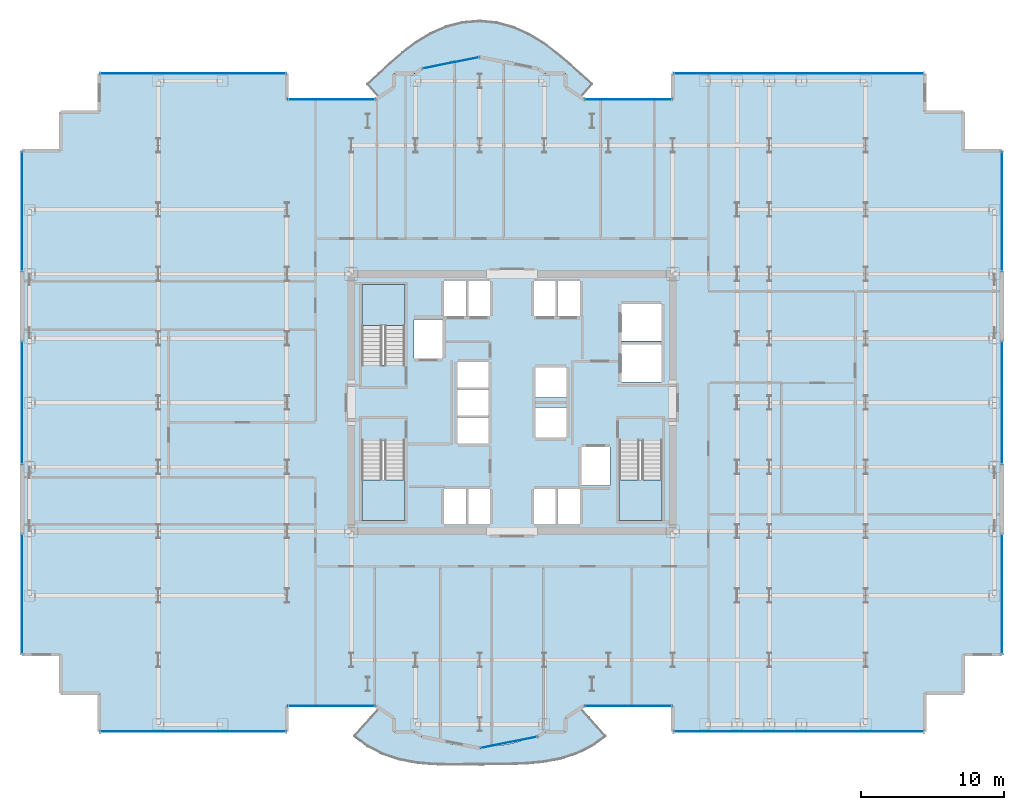
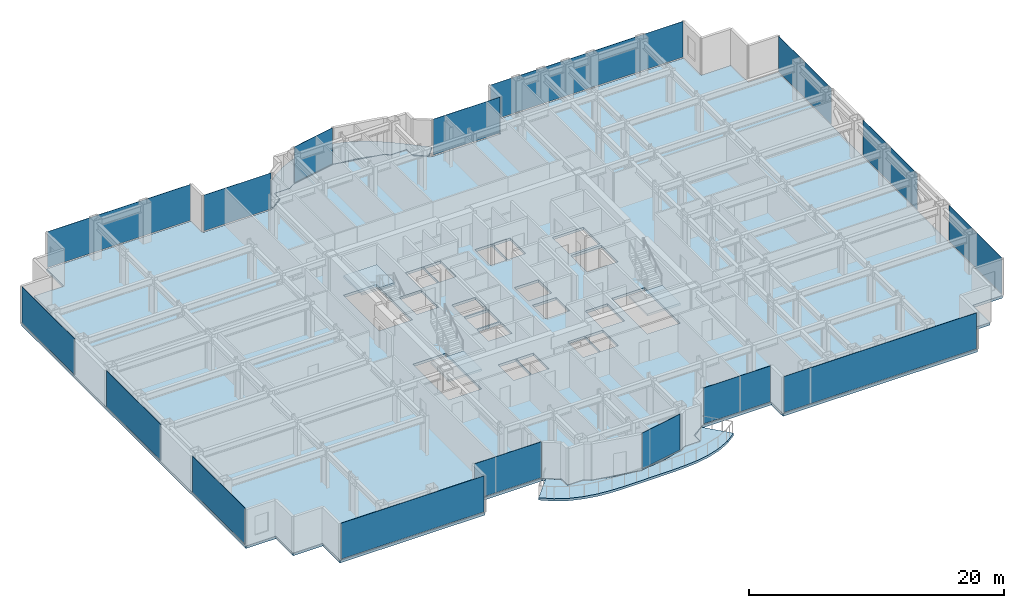
# One storey, part 20 of 29: 16 plates, 6 slabs, 19 elements without a shape of their own.
"""IFC4 building model written with IfcOpenShell, lengths in metres."""

from ifc_helpers import new_model, si_unit, direction, frame, origin, origin_2d, place, context, subcontext, project, spatial, polyline, rectangle, outline, extrude, source, transform, mapped, material, layer, layer_set, type_object, element, aggregate, save


model = new_model("IFC4")

# Units and contexts
model_context = context("Model", 3, precision=1e-05, world=origin(), true_north=direction((0.0, 1.0)))
body_context = subcontext(model_context, "Body", "Model", "MODEL_VIEW")
ifc_project = project(units=[si_unit("LENGTHUNIT", "METRE"), si_unit("AREAUNIT", "SQUARE_METRE"), si_unit("VOLUMEUNIT", "CUBIC_METRE"), si_unit("PLANEANGLEUNIT", "RADIAN"), si_unit("MASSUNIT", "GRAM", prefix="KILO")], contexts=[model_context])

# Site, building, storey
site_placement = place(None, origin())
site = spatial("IfcSite", under=ifc_project, at=site_placement, CompositionType="ELEMENT")
building_placement = place(site_placement, origin())
building = spatial("IfcBuilding", under=site, at=building_placement, Name="Nefas-Gora Pilgrimage Tower", CompositionType="ELEMENT")
storey_placement = place(building_placement, frame((0.0, 0.0, 113.60009765625)))
storey = spatial("IfcBuildingStorey", under=building, at=storey_placement, Name="L27", CompositionType="ELEMENT", Elevation=113.60009765625)

# Slabs
ifc_material_1 = material(Name="Concrete C40/50", Category="concrete")
ifc_layer_1 = layer(ifc_material_1, 0.22998046875)
ifc_layer_set_1 = layer_set([ifc_layer_1], Name="Concrete C40/50")
slab_type_1 = type_object("IfcSlabType", Name="SLB-BAL-P2", PredefinedType="FLOOR", material=ifc_layer_set_1)
slab_1_placement = place(storey_placement, frame((0.0, 0.0, -0.22998046875)))
element("IfcSlab", 1, at=slab_1_placement, inside=storey, type_object=slab_type_1, Name="L27 Sinusoidal Lobe Balcony Slab S (Phase 2)", PredefinedType="FLOOR", context=body_context, shape_type="SweptSolid", body=[
    extrude(outline(polyline([(4.78759765625, -21.385986328125), (4.724609375, -21.427978515625), (4.038330078125, -21.9912109375), (3.760009765625, -22.179931640625), (3.760009765625, -23.02001953125), (3.760009765625, -23.02099609375), (3.759765625, -23.02197265625), (3.759521484375, -23.02294921875), (3.75927734375, -23.023681640625), (3.7587890625, -23.024658203125), (3.75830078125, -23.025634765625), (3.7578125, -23.0263671875), (3.757080078125, -23.027099609375), (3.75634765625, -23.027587890625), (3.755615234375, -23.0283203125), (3.754638671875, -23.02880859375), (3.75390625, -23.029296875), (3.7529296875, -23.029541015625), (3.751953125, -23.02978515625), (3.7509765625, -23.030029296875), (3.75, -23.030029296875), (2.3271484375, -23.030029296875), (1.81298828125, -23.37353515625), (1.81201171875, -23.3740234375), (1.811279296875, -23.37451171875), (1.810302734375, -23.375), (1.809326171875, -23.375), (1.13037109375, -23.51025390625), (0.602783203125, -23.685302734375), (-0.334716796875, -23.904052734375), (-1.288330078125, -24.035888671875), (-1.580078125, -24.04931640625), (-2.248046875, -24.18212890625), (-2.2490234375, -24.182373046875), (-2.25, -24.182373046875), (-2.2509765625, -24.182373046875), (-2.251953125, -24.18212890625), (-2.919921875, -24.04931640625), (-3.211669921875, -24.035888671875), (-4.165283203125, -23.904052734375), (-5.102783203125, -23.685302734375), (-5.63037109375, -23.51025390625), (-6.309326171875, -23.375), (-6.310302734375, -23.375), (-6.311279296875, -23.37451171875), (-6.31201171875, -23.3740234375), (-6.31298828125, -23.37353515625), (-6.8271484375, -23.030029296875), (-8.25, -23.030029296875), (-8.2509765625, -23.030029296875), (-8.251953125, -23.02978515625), (-8.2529296875, -23.029541015625), (-8.25390625, -23.029296875), (-8.254638671875, -23.02880859375), (-8.255615234375, -23.0283203125), (-8.25634765625, -23.027587890625), (-8.257080078125, -23.027099609375), (-8.2578125, -23.0263671875), (-8.25830078125, -23.025634765625), (-8.2587890625, -23.024658203125), (-8.25927734375, -23.023681640625), (-8.259521484375, -23.02294921875), (-8.259765625, -23.02197265625), (-8.260009765625, -23.02099609375), (-8.260009765625, -23.02001953125), (-8.260009765625, -22.179931640625), (-8.538330078125, -21.9912109375), (-9.224609375, -21.427978515625), (-9.28759765625, -21.385986328125), (-11.08251953125, -23.37939453125), (-10.11669921875, -24.10498046875), (-9.04248046875, -24.654296875), (-7.901611328125, -25.0302734375), (-6.73486328125, -25.25341796875), (-5.574951171875, -25.359130859375), (-4.440673828125, -25.389404296875), (-3.33544921875, -25.3837890625), (-2.25, -25.37060546875), (-1.16650390625, -25.36181640625), (-0.06689453125, -25.349365234375), (1.060302734375, -25.307861328125), (2.214111328125, -25.19921875), (3.37744140625, -24.9814453125), (4.5205078125, -24.618408203125), (5.602294921875, -24.085693359375), (6.580810546875, -23.377685546875), (4.78759765625, -21.385986328125)])), origin(), (0.0, 0.0, 1.0), 0.22998046875),
])
ifc_layer_2 = layer(ifc_material_1, 0.219970703125)
ifc_layer_set_2 = layer_set([ifc_layer_2], Name="Concrete C40/50")
slab_type_2 = type_object("IfcSlabType", Name="SLB-BAL-P6", PredefinedType="FLOOR", material=ifc_layer_set_2)
slab_2_placement = place(storey_placement, frame((0.0, 0.0, -0.22021484375)))
element("IfcSlab", 2, at=slab_2_placement, inside=storey, type_object=slab_type_2, Name="L27 Sinusoidal Lobe Balcony Slab N (Phase 6)", PredefinedType="FLOOR", context=body_context, shape_type="SweptSolid", body=[
    extrude(outline(polyline([(-9.28759765625, 21.385986328125), (-9.224609375, 21.427978515625), (-8.538330078125, 21.9912109375), (-8.260009765625, 22.179931640625), (-8.260009765625, 23.02001953125), (-8.260009765625, 23.02099609375), (-8.259765625, 23.02197265625), (-8.259521484375, 23.02294921875), (-8.25927734375, 23.023681640625), (-8.2587890625, 23.024658203125), (-8.25830078125, 23.025634765625), (-8.2578125, 23.0263671875), (-8.257080078125, 23.027099609375), (-8.25634765625, 23.027587890625), (-8.255615234375, 23.0283203125), (-8.254638671875, 23.02880859375), (-8.25390625, 23.029296875), (-8.2529296875, 23.029541015625), (-8.251953125, 23.02978515625), (-8.2509765625, 23.030029296875), (-8.25, 23.030029296875), (-6.8271484375, 23.030029296875), (-6.31298828125, 23.37353515625), (-6.31201171875, 23.3740234375), (-6.311279296875, 23.37451171875), (-6.310302734375, 23.375), (-6.309326171875, 23.375), (-5.63037109375, 23.51025390625), (-5.102783203125, 23.685302734375), (-4.165283203125, 23.904052734375), (-3.211669921875, 24.035888671875), (-2.919921875, 24.04931640625), (-2.251953125, 24.18212890625), (-2.2509765625, 24.182373046875), (-2.25, 24.182373046875), (-2.2490234375, 24.182373046875), (-2.248046875, 24.18212890625), (-1.580078125, 24.04931640625), (-1.288330078125, 24.035888671875), (-0.334716796875, 23.904052734375), (0.602783203125, 23.685302734375), (1.13037109375, 23.51025390625), (1.809326171875, 23.375), (1.810302734375, 23.375), (1.811279296875, 23.37451171875), (1.81201171875, 23.3740234375), (1.81298828125, 23.37353515625), (2.3271484375, 23.030029296875), (3.75, 23.030029296875), (3.7509765625, 23.030029296875), (3.751953125, 23.02978515625), (3.7529296875, 23.029541015625), (3.75390625, 23.029296875), (3.754638671875, 23.02880859375), (3.755615234375, 23.0283203125), (3.75634765625, 23.027587890625), (3.757080078125, 23.027099609375), (3.7578125, 23.0263671875), (3.75830078125, 23.025634765625), (3.7587890625, 23.024658203125), (3.75927734375, 23.023681640625), (3.759521484375, 23.02294921875), (3.759765625, 23.02197265625), (3.760009765625, 23.02099609375), (3.760009765625, 23.02001953125), (3.760009765625, 22.179931640625), (4.038330078125, 21.9912109375), (4.724609375, 21.427978515625), (4.78759765625, 21.385986328125), (5.645751953125, 22.339111328125), (4.84130859375, 23.06640625), (4.02001953125, 23.801513671875), (3.15576171875, 24.53173828125), (2.224365234375, 25.226318359375), (1.211181640625, 25.84228515625), (0.115234375, 26.33203125), (-1.048095703125, 26.6513671875), (-2.25, 26.769287109375), (-3.4541015625, 26.67333984375), (-4.622802734375, 26.3720703125), (-5.7255859375, 25.8935546875), (-6.7451171875, 25.280517578125), (-7.6796875, 24.580322265625), (-8.5419921875, 23.837646484375), (-9.355712890625, 23.085693359375), (-10.1474609375, 22.3408203125), (-9.28759765625, 21.385986328125)])), origin(), (0.0, 0.0, 1.0), 0.22021484375),
])
ifc_layer_3 = layer(ifc_material_1, 0.25)
ifc_layer_set_3 = layer_set([ifc_layer_3], Name="Concrete C40/50")
slab_type_3 = type_object("IfcSlabType", Name="SLB-TWR-250", PredefinedType="FLOOR", material=ifc_layer_set_3)
slab_3_placement = place(storey_placement, frame((0.0, 0.0, -0.25)))
element("IfcSlab", 3, at=slab_3_placement, inside=storey, type_object=slab_type_3, Name="L27 Structural Floor Slab", PredefinedType="FLOOR", context=body_context, shape_type="SweptSolid", body=[
    extrude(outline(polyline([(5.01806640625, -21.219970703125), (11.25, -21.219970703125), (11.25, -23.02001953125), (28.8701171875, -23.02001953125), (28.8701171875, -20.320068359375), (31.570068359375, -20.320068359375), (31.570068359375, -17.6201171875), (34.27001953125, -17.6201171875), (34.27001953125, 17.6201171875), (31.570068359375, 17.6201171875), (31.570068359375, 20.320068359375), (28.8701171875, 20.320068359375), (28.8701171875, 23.02001953125), (11.25, 23.02001953125), (11.25, 21.219970703125), (5.01806640625, 21.219970703125), (3.75, 22.0673828125), (3.75, 23.02001953125), (2.32421875, 23.02001953125), (1.807373046875, 23.365234375), (-2.25, 24.17236328125), (-6.307373046875, 23.365234375), (-6.82421875, 23.02001953125), (-8.25, 23.02001953125), (-8.25, 22.0673828125), (-9.51806640625, 21.219970703125), (-15.75, 21.219970703125), (-15.75, 23.02001953125), (-28.8701171875, 23.02001953125), (-28.8701171875, 20.320068359375), (-31.570068359375, 20.320068359375), (-31.570068359375, 17.6201171875), (-34.27001953125, 17.6201171875), (-34.27001953125, -17.6201171875), (-31.570068359375, -17.6201171875), (-31.570068359375, -20.320068359375), (-28.8701171875, -20.320068359375), (-28.8701171875, -23.02001953125), (-15.75, -23.02001953125), (-15.75, -21.219970703125), (-9.51806640625, -21.219970703125), (-8.25, -22.0673828125), (-8.25, -23.02001953125), (-6.82421875, -23.02001953125), (-6.307373046875, -23.365234375), (-2.25, -24.17236328125), (1.807373046875, -23.365234375), (2.32421875, -23.02001953125), (3.75, -23.02001953125), (3.75, -22.0673828125), (5.01806640625, -21.219970703125)]), holes=[polyline([(-10.5, 2.639892578125), (-10.5, 8.25), (-7.5, 8.25), (-7.5, 2.639892578125), (-10.5, 2.639892578125)]), polyline([(10.5, -2.639892578125), (10.5, -8.25), (7.5, -8.25), (7.5, -2.639892578125), (10.5, -2.639892578125)]), polyline([(-7.5, -2.639892578125), (-7.5, -8.25), (-10.5, -8.25), (-10.5, -2.639892578125), (-7.5, -2.639892578125)]), polyline([(-6.85009765625, 5.800048828125), (-4.85009765625, 5.800048828125), (-4.85009765625, 3.10009765625), (-6.85009765625, 3.10009765625), (-6.85009765625, 5.800048828125)]), polyline([(4.85009765625, -3.10009765625), (6.85009765625, -3.10009765625), (6.85009765625, -5.800048828125), (4.85009765625, -5.800048828125), (4.85009765625, -3.10009765625)]), polyline([(7.64990234375, 4.050048828125), (10.449951171875, 4.050048828125), (10.449951171875, 1.449951171875), (7.64990234375, 1.449951171875), (7.64990234375, 4.050048828125)]), polyline([(7.64990234375, 6.89990234375), (10.449951171875, 6.89990234375), (10.449951171875, 4.300048828125), (7.64990234375, 4.300048828125), (7.64990234375, 6.89990234375)]), polyline([(-4.75, 8.5), (-3.14990234375, 8.5), (-3.14990234375, 6.050048828125), (-4.75, 6.050048828125), (-4.75, 8.5)]), polyline([(-3.10009765625, 8.5), (-1.550048828125, 8.5), (-1.550048828125, 6.050048828125), (-3.10009765625, 6.050048828125), (-3.10009765625, 8.5)]), polyline([(1.550048828125, 8.5), (3.10009765625, 8.5), (3.10009765625, 6.050048828125), (1.550048828125, 6.050048828125), (1.550048828125, 8.5)]), polyline([(3.14990234375, 8.5), (4.75, 8.5), (4.75, 6.050048828125), (3.14990234375, 6.050048828125), (3.14990234375, 8.5)]), polyline([(-4.75, -6.050048828125), (-3.14990234375, -6.050048828125), (-3.14990234375, -8.5), (-4.75, -8.5), (-4.75, -6.050048828125)]), polyline([(-3.10009765625, -6.050048828125), (-1.550048828125, -6.050048828125), (-1.550048828125, -8.5), (-3.10009765625, -8.5), (-3.10009765625, -6.050048828125)]), polyline([(1.550048828125, -6.050048828125), (3.10009765625, -6.050048828125), (3.10009765625, -8.5), (1.550048828125, -8.5), (1.550048828125, -6.050048828125)]), polyline([(3.14990234375, -6.050048828125), (4.75, -6.050048828125), (4.75, -8.5), (3.14990234375, -8.5), (3.14990234375, -6.050048828125)]), polyline([(-3.800048828125, -1.050048828125), (-1.64990234375, -1.050048828125), (-1.64990234375, -2.85009765625), (-3.800048828125, -2.85009765625), (-3.800048828125, -1.050048828125)]), polyline([(-3.800048828125, 0.89990234375), (-1.64990234375, 0.89990234375), (-1.64990234375, -0.89990234375), (-3.800048828125, -0.89990234375), (-3.800048828125, 0.89990234375)]), polyline([(-3.800048828125, 2.85009765625), (-1.64990234375, 2.85009765625), (-1.64990234375, 1.050048828125), (-3.800048828125, 1.050048828125), (-3.800048828125, 2.85009765625)]), polyline([(1.64990234375, -0.35009765625), (3.800048828125, -0.35009765625), (3.800048828125, -2.449951171875), (1.64990234375, -2.449951171875), (1.64990234375, -0.35009765625)]), polyline([(1.64990234375, 2.449951171875), (3.800048828125, 2.449951171875), (3.800048828125, 0.35009765625), (1.64990234375, 0.35009765625), (1.64990234375, 2.449951171875)])]), origin(), (0.0, 0.0, 1.0), 0.25),
])

# Stair, slab
ifc_material_2 = material(Name="Concrete C45/55", Category="concrete")
stair_type = type_object("IfcStairType", Name="STR-1400-R1727", PredefinedType="HALF_TURN_STAIR", material=ifc_material_2)
stair_1_placement = place(storey_placement, origin())
stair_1 = element("IfcStair", 4, at=stair_1_placement, inside=storey, type_object=stair_type, Name="L27 Pressurised Tower Exit Stair ST-01", PredefinedType="HALF_TURN_STAIR")
ifc_layer_4 = layer(ifc_material_1, 0.199951171875)
ifc_layer_set_4 = layer_set([ifc_layer_4], Name="Concrete C40/50")
slab_type_4 = type_object("IfcSlabType", Name="STR-LAND-200", PredefinedType="LANDING", material=ifc_layer_set_4)
slab_4_placement = place(storey_placement, frame((0.0, 0.0, 1.699951171875)))
slab_4 = element("IfcSlab", 5, at=slab_4_placement, type_object=slab_type_4, Name="ST-01 landing 1", PredefinedType="LANDING", context=body_context, shape_type="SweptSolid", body=[
    extrude(outline(polyline([(-7.5, 5.39990234375), (-7.5, 8.25), (-10.5, 8.25), (-10.5, 5.39990234375), (-7.5, 5.39990234375)])), origin(), (0.0, 0.0, 1.0), 0.199951171875),
])
aggregate(stair_1, [slab_4])

stair_2_placement = place(storey_placement, origin())
stair_2 = element("IfcStair", 6, at=stair_2_placement, inside=storey, type_object=stair_type, Name="L27 Pressurised Tower Exit Stair ST-02", PredefinedType="HALF_TURN_STAIR")
slab_5_placement = place(storey_placement, frame((0.0, 0.0, 1.699951171875)))
slab_5 = element("IfcSlab", 7, at=slab_5_placement, type_object=slab_type_4, Name="ST-02 landing 1", PredefinedType="LANDING", context=body_context, shape_type="SweptSolid", body=[
    extrude(outline(polyline([(7.5, -5.39990234375), (7.5, -8.25), (10.5, -8.25), (10.5, -5.39990234375), (7.5, -5.39990234375)])), origin(), (0.0, 0.0, 1.0), 0.199951171875),
])
aggregate(stair_2, [slab_5])

stair_3_placement = place(storey_placement, origin())
stair_3 = element("IfcStair", 8, at=stair_3_placement, inside=storey, type_object=stair_type, Name="L27 Pressurised Tower Exit Stair ST-03", PredefinedType="HALF_TURN_STAIR")
slab_6_placement = place(storey_placement, frame((0.0, 0.0, 1.699951171875)))
slab_6 = element("IfcSlab", 9, at=slab_6_placement, type_object=slab_type_4, Name="ST-03 landing 1", PredefinedType="LANDING", context=body_context, shape_type="SweptSolid", body=[
    extrude(outline(polyline([(-10.5, -5.39990234375), (-10.5, -8.25), (-7.5, -8.25), (-7.5, -5.39990234375), (-10.5, -5.39990234375)])), origin(), (0.0, 0.0, 1.0), 0.199951171875),
])
aggregate(stair_3, [slab_6])

# Curtain wall, plate
ifc_material_3 = material(Name="Dark ceramic-fritted solar-control aluminium-glass curtain wall", Category="aluminium")
ifc_layer_5 = layer(ifc_material_3, 0.219970703125)
ifc_layer_set_5 = layer_set([ifc_layer_5], Name="Dark ceramic-fritted solar-control aluminium-glass curtain wall")
curtain_wall_type_1 = type_object("IfcCurtainWallType", Name="CW-SYS-5", PredefinedType="NOTDEFINED", material=ifc_layer_set_5)
curtain_wall_1_placement = place(storey_placement, origin())
curtain_wall_1 = element("IfcCurtainWall", 10, at=curtain_wall_1_placement, inside=storey, type_object=curtain_wall_type_1, Name="L27 Unitised Curtain Wall CW5", PredefinedType="NOTDEFINED")
ifc_material_4 = material(Name="Dark ceramic-printed low-e insulated glass", Category="glass")
ifc_layer_6 = layer(ifc_material_4, 0.028076171875)
ifc_layer_set_6 = layer_set([ifc_layer_6], Name="Dark ceramic-printed low-e insulated glass")
plate_type_1 = type_object("IfcPlateType", Name="CWP-PNL-5", PredefinedType="CURTAIN_PANEL", material=ifc_layer_set_6)
shared_shape_1 = source(origin(), body_context, "Body", "SweptSolid", [
    extrude(rectangle(XDim=6.052001953125, YDim=0.028076171875, at=origin_2d()), origin(), (0.0, 0.0, 1.0), 3.43994140625),
])
plate_1_placement = place(storey_placement, frame((8.134033203125, -21.219970703125, 0.099853515625), z_axis=(0.0, 0.0, 1.0), x_axis=(1.0, 0.0, 0.0)))
plate_1 = element("IfcPlate", 11, at=plate_1_placement, type_object=plate_type_1, Name="CW5 Ceramic-Fritted Glazing Panel 1", PredefinedType="CURTAIN_PANEL", context=body_context, shape_type="MappedRepresentation", body=[
    mapped(shared_shape_1, transform((0.0, 0.0, 0.0), x_axis=(1.0, 0.0, 0.0), y_axis=(0.0, 1.0, 0.0), z_axis=(0.0, 0.0, 1.0), scale=1.0)),
])
aggregate(curtain_wall_1, [plate_1])

curtain_wall_2_placement = place(storey_placement, origin())
curtain_wall_2 = element("IfcCurtainWall", 12, at=curtain_wall_2_placement, inside=storey, type_object=curtain_wall_type_1, Name="L27 Unitised Curtain Wall CW5", PredefinedType="NOTDEFINED")
plate_2_placement = place(storey_placement, frame((8.134033203125, 21.219970703125, 0.099853515625), z_axis=(0.0, 0.0, 1.0), x_axis=(-1.0, 0.0, 0.0)))
plate_2 = element("IfcPlate", 13, at=plate_2_placement, type_object=plate_type_1, Name="CW5 Ceramic-Fritted Glazing Panel 1", PredefinedType="CURTAIN_PANEL", context=body_context, shape_type="MappedRepresentation", body=[
    mapped(shared_shape_1, transform((0.0, 0.0, 0.0), x_axis=(1.0, 0.0, 0.0), y_axis=(0.0, 1.0, 0.0), z_axis=(0.0, 0.0, 1.0), scale=1.0)),
])
aggregate(curtain_wall_2, [plate_2])

curtain_wall_3_placement = place(storey_placement, origin())
curtain_wall_3 = element("IfcCurtainWall", 14, at=curtain_wall_3_placement, inside=storey, type_object=curtain_wall_type_1, Name="L27 Unitised Curtain Wall CW5", PredefinedType="NOTDEFINED")
plate_3_placement = place(storey_placement, frame((-12.634033203125, 21.219970703125, 0.099853515625), z_axis=(0.0, 0.0, 1.0), x_axis=(-1.0, 0.0, 0.0)))
plate_3 = element("IfcPlate", 15, at=plate_3_placement, type_object=plate_type_1, Name="CW5 Ceramic-Fritted Glazing Panel 1", PredefinedType="CURTAIN_PANEL", context=body_context, shape_type="MappedRepresentation", body=[
    mapped(shared_shape_1, transform((0.0, 0.0, 0.0), x_axis=(1.0, 0.0, 0.0), y_axis=(0.0, 1.0, 0.0), z_axis=(0.0, 0.0, 1.0), scale=1.0)),
])
aggregate(curtain_wall_3, [plate_3])

curtain_wall_4_placement = place(storey_placement, origin())
curtain_wall_4 = element("IfcCurtainWall", 16, at=curtain_wall_4_placement, inside=storey, type_object=curtain_wall_type_1, Name="L27 Unitised Curtain Wall CW5", PredefinedType="NOTDEFINED")
plate_4_placement = place(storey_placement, frame((-12.634033203125, -21.219970703125, 0.099853515625), z_axis=(0.0, 0.0, 1.0), x_axis=(1.0, 0.0, 0.0)))
plate_4 = element("IfcPlate", 17, at=plate_4_placement, type_object=plate_type_1, Name="CW5 Ceramic-Fritted Glazing Panel 1", PredefinedType="CURTAIN_PANEL", context=body_context, shape_type="MappedRepresentation", body=[
    mapped(shared_shape_1, transform((0.0, 0.0, 0.0), x_axis=(1.0, 0.0, 0.0), y_axis=(0.0, 1.0, 0.0), z_axis=(0.0, 0.0, 1.0), scale=1.0)),
])
aggregate(curtain_wall_4, [plate_4])

ifc_layer_7 = layer(ifc_material_3, 0.219970703125)
ifc_layer_set_7 = layer_set([ifc_layer_7], Name="Dark ceramic-fritted solar-control aluminium-glass curtain wall")
curtain_wall_type_2 = type_object("IfcCurtainWallType", Name="CW-SYS-2", PredefinedType="NOTDEFINED", material=ifc_layer_set_7)
curtain_wall_5_placement = place(storey_placement, origin())
curtain_wall_5 = element("IfcCurtainWall", 18, at=curtain_wall_5_placement, inside=storey, type_object=curtain_wall_type_2, Name="L27 Unitised Curtain Wall CW2", PredefinedType="NOTDEFINED")
ifc_layer_8 = layer(ifc_material_4, 0.031982421875)
ifc_layer_set_8 = layer_set([ifc_layer_8], Name="Dark ceramic-printed low-e insulated glass")
plate_type_2 = type_object("IfcPlateType", Name="CWP-PNL-2", PredefinedType="CURTAIN_PANEL", material=ifc_layer_set_8)
shared_shape_2 = source(origin(), body_context, "Body", "SweptSolid", [
    extrude(rectangle(XDim=17.43994140625, YDim=0.031982421875, at=origin_2d()), origin(), (0.0, 0.0, 1.0), 3.43994140625),
])
plate_5_placement = place(storey_placement, frame((20.06005859375, -23.02001953125, 0.099853515625), z_axis=(0.0, 0.0, 1.0), x_axis=(1.0, 0.0, 0.0)))
plate_5 = element("IfcPlate", 19, at=plate_5_placement, type_object=plate_type_2, Name="CW2 Ceramic-Fritted Glazing Panel 1", PredefinedType="CURTAIN_PANEL", context=body_context, shape_type="MappedRepresentation", body=[
    mapped(shared_shape_2, transform((0.0, 0.0, 0.0), x_axis=(1.0, 0.0, 0.0), y_axis=(0.0, 1.0, 0.0), z_axis=(0.0, 0.0, 1.0), scale=1.0)),
])
aggregate(curtain_wall_5, [plate_5])

curtain_wall_6_placement = place(storey_placement, origin())
curtain_wall_6 = element("IfcCurtainWall", 20, at=curtain_wall_6_placement, inside=storey, type_object=curtain_wall_type_2, Name="L27 Unitised Curtain Wall CW2", PredefinedType="NOTDEFINED")
plate_6_placement = place(storey_placement, frame((20.06005859375, 23.02001953125, 0.099853515625), z_axis=(0.0, 0.0, 1.0), x_axis=(-1.0, 0.0, 0.0)))
plate_6 = element("IfcPlate", 21, at=plate_6_placement, type_object=plate_type_2, Name="CW2 Ceramic-Fritted Glazing Panel 1", PredefinedType="CURTAIN_PANEL", context=body_context, shape_type="MappedRepresentation", body=[
    mapped(shared_shape_2, transform((0.0, 0.0, 0.0), x_axis=(1.0, 0.0, 0.0), y_axis=(0.0, 1.0, 0.0), z_axis=(0.0, 0.0, 1.0), scale=1.0)),
])
aggregate(curtain_wall_6, [plate_6])

curtain_wall_7_placement = place(storey_placement, origin())
curtain_wall_7 = element("IfcCurtainWall", 22, at=curtain_wall_7_placement, inside=storey, type_object=curtain_wall_type_2, Name="L27 Unitised Curtain Wall CW2", PredefinedType="NOTDEFINED")
shared_shape_3 = source(origin(), body_context, "Body", "SweptSolid", [
    extrude(rectangle(XDim=8.2900390625, YDim=0.031982421875, at=origin_2d()), origin(), (0.0, 0.0, 1.0), 3.43994140625),
])
plate_7_placement = place(storey_placement, frame((34.27001953125, -13.385009765625, 0.099853515625), z_axis=(0.0, 0.0, 1.0), x_axis=(0.0, 1.0, 0.0)))
plate_7 = element("IfcPlate", 23, at=plate_7_placement, type_object=plate_type_2, Name="CW2 Ceramic-Fritted Glazing Panel 1", PredefinedType="CURTAIN_PANEL", context=body_context, shape_type="MappedRepresentation", body=[
    mapped(shared_shape_3, transform((0.0, 0.0, 0.0), x_axis=(1.0, 0.0, 0.0), y_axis=(0.0, 1.0, 0.0), z_axis=(0.0, 0.0, 1.0), scale=1.0)),
])
aggregate(curtain_wall_7, [plate_7])

curtain_wall_8_placement = place(storey_placement, origin())
curtain_wall_8 = element("IfcCurtainWall", 24, at=curtain_wall_8_placement, inside=storey, type_object=curtain_wall_type_2, Name="L27 Unitised Curtain Wall CW2", PredefinedType="NOTDEFINED")
plate_8_placement = place(storey_placement, frame((34.27001953125, 13.385009765625, 0.099853515625), z_axis=(0.0, 0.0, 1.0), x_axis=(0.0, 1.0, 0.0)))
plate_8 = element("IfcPlate", 25, at=plate_8_placement, type_object=plate_type_2, Name="CW2 Ceramic-Fritted Glazing Panel 1", PredefinedType="CURTAIN_PANEL", context=body_context, shape_type="MappedRepresentation", body=[
    mapped(shared_shape_3, transform((0.0, 0.0, 0.0), x_axis=(1.0, 0.0, 0.0), y_axis=(0.0, 1.0, 0.0), z_axis=(0.0, 0.0, 1.0), scale=1.0)),
])
aggregate(curtain_wall_8, [plate_8])

curtain_wall_9_placement = place(storey_placement, origin())
curtain_wall_9 = element("IfcCurtainWall", 26, at=curtain_wall_9_placement, inside=storey, type_object=curtain_wall_type_2, Name="L27 Unitised Curtain Wall CW2", PredefinedType="NOTDEFINED")
plate_9_placement = place(storey_placement, frame((-34.27001953125, 13.385009765625, 0.099853515625), z_axis=(0.0, 0.0, 1.0), x_axis=(0.0, -1.0, 0.0)))
plate_9 = element("IfcPlate", 27, at=plate_9_placement, type_object=plate_type_2, Name="CW2 Ceramic-Fritted Glazing Panel 1", PredefinedType="CURTAIN_PANEL", context=body_context, shape_type="MappedRepresentation", body=[
    mapped(shared_shape_3, transform((0.0, 0.0, 0.0), x_axis=(1.0, 0.0, 0.0), y_axis=(0.0, 1.0, 0.0), z_axis=(0.0, 0.0, 1.0), scale=1.0)),
])
aggregate(curtain_wall_9, [plate_9])

curtain_wall_10_placement = place(storey_placement, origin())
curtain_wall_10 = element("IfcCurtainWall", 28, at=curtain_wall_10_placement, inside=storey, type_object=curtain_wall_type_2, Name="L27 Unitised Curtain Wall CW2", PredefinedType="NOTDEFINED")
plate_10_placement = place(storey_placement, frame((-34.27001953125, -13.385009765625, 0.099853515625), z_axis=(0.0, 0.0, 1.0), x_axis=(0.0, -1.0, 0.0)))
plate_10 = element("IfcPlate", 29, at=plate_10_placement, type_object=plate_type_2, Name="CW2 Ceramic-Fritted Glazing Panel 1", PredefinedType="CURTAIN_PANEL", context=body_context, shape_type="MappedRepresentation", body=[
    mapped(shared_shape_3, transform((0.0, 0.0, 0.0), x_axis=(1.0, 0.0, 0.0), y_axis=(0.0, 1.0, 0.0), z_axis=(0.0, 0.0, 1.0), scale=1.0)),
])
aggregate(curtain_wall_10, [plate_10])

curtain_wall_11_placement = place(storey_placement, origin())
curtain_wall_11 = element("IfcCurtainWall", 30, at=curtain_wall_11_placement, inside=storey, type_object=curtain_wall_type_2, Name="L27 Unitised Curtain Wall CW2", PredefinedType="NOTDEFINED")
shared_shape_4 = source(origin(), body_context, "Body", "SweptSolid", [
    extrude(rectangle(XDim=8.52001953125, YDim=0.031982421875, at=origin_2d()), origin(), (0.0, 0.0, 1.0), 3.43994140625),
])
plate_11_placement = place(storey_placement, frame((34.27001953125, 0.0, 0.099853515625), z_axis=(0.0, 0.0, 1.0), x_axis=(0.0, 1.0, 0.0)))
plate_11 = element("IfcPlate", 31, at=plate_11_placement, type_object=plate_type_2, Name="CW2 Ceramic-Fritted Glazing Panel 1", PredefinedType="CURTAIN_PANEL", context=body_context, shape_type="MappedRepresentation", body=[
    mapped(shared_shape_4, transform((0.0, 0.0, 0.0), x_axis=(1.0, 0.0, 0.0), y_axis=(0.0, 1.0, 0.0), z_axis=(0.0, 0.0, 1.0), scale=1.0)),
])
aggregate(curtain_wall_11, [plate_11])

curtain_wall_12_placement = place(storey_placement, origin())
curtain_wall_12 = element("IfcCurtainWall", 32, at=curtain_wall_12_placement, inside=storey, type_object=curtain_wall_type_2, Name="L27 Unitised Curtain Wall CW2", PredefinedType="NOTDEFINED")
plate_12_placement = place(storey_placement, frame((-34.27001953125, 0.0, 0.099853515625), z_axis=(0.0, 0.0, 1.0), x_axis=(0.0, -1.0, 0.0)))
plate_12 = element("IfcPlate", 33, at=plate_12_placement, type_object=plate_type_2, Name="CW2 Ceramic-Fritted Glazing Panel 1", PredefinedType="CURTAIN_PANEL", context=body_context, shape_type="MappedRepresentation", body=[
    mapped(shared_shape_4, transform((0.0, 0.0, 0.0), x_axis=(1.0, 0.0, 0.0), y_axis=(0.0, 1.0, 0.0), z_axis=(0.0, 0.0, 1.0), scale=1.0)),
])
aggregate(curtain_wall_12, [plate_12])

curtain_wall_13_placement = place(storey_placement, origin())
curtain_wall_13 = element("IfcCurtainWall", 34, at=curtain_wall_13_placement, inside=storey, type_object=curtain_wall_type_1, Name="L27 Unitised Curtain Wall CW5", PredefinedType="NOTDEFINED")
shared_shape_5 = source(origin(), body_context, "Body", "SweptSolid", [
    extrude(rectangle(XDim=3.956787109375, YDim=0.028076171875, at=origin_2d()), origin(), (0.0, 0.0, 1.0), 3.43994140625),
])
plate_13_placement = place(storey_placement, frame((-4.278564453125, 23.768798828125, 0.099853515625), z_axis=(0.0, 0.0, 1.0), x_axis=(-0.980782896852, -0.195102304554, 0.0)))
plate_13 = element("IfcPlate", 35, at=plate_13_placement, type_object=plate_type_1, Name="CW5 Ceramic-Fritted Glazing Panel 1", PredefinedType="CURTAIN_PANEL", context=body_context, shape_type="MappedRepresentation", body=[
    mapped(shared_shape_5, transform((0.0, 0.0, 0.0), x_axis=(1.0, 0.0, 0.0), y_axis=(0.0, 1.0, 0.0), z_axis=(0.0, 0.0, 1.0), scale=1.0)),
])
aggregate(curtain_wall_13, [plate_13])

curtain_wall_14_placement = place(storey_placement, origin())
curtain_wall_14 = element("IfcCurtainWall", 36, at=curtain_wall_14_placement, inside=storey, type_object=curtain_wall_type_1, Name="L27 Unitised Curtain Wall CW5", PredefinedType="NOTDEFINED")
plate_14_placement = place(storey_placement, frame((-0.221435546875, -23.768798828125, 0.099853515625), z_axis=(0.0, 0.0, 1.0), x_axis=(0.980782896852, 0.195102304554, 0.0)))
plate_14 = element("IfcPlate", 37, at=plate_14_placement, type_object=plate_type_1, Name="CW5 Ceramic-Fritted Glazing Panel 1", PredefinedType="CURTAIN_PANEL", context=body_context, shape_type="MappedRepresentation", body=[
    mapped(shared_shape_5, transform((0.0, 0.0, 0.0), x_axis=(1.0, 0.0, 0.0), y_axis=(0.0, 1.0, 0.0), z_axis=(0.0, 0.0, 1.0), scale=1.0)),
])
aggregate(curtain_wall_14, [plate_14])

curtain_wall_15_placement = place(storey_placement, origin())
curtain_wall_15 = element("IfcCurtainWall", 38, at=curtain_wall_15_placement, inside=storey, type_object=curtain_wall_type_2, Name="L27 Unitised Curtain Wall CW2", PredefinedType="NOTDEFINED")
shared_shape_6 = source(origin(), body_context, "Body", "SweptSolid", [
    extrude(rectangle(XDim=12.93994140625, YDim=0.031982421875, at=origin_2d()), origin(), (0.0, 0.0, 1.0), 3.43994140625),
])
plate_15_placement = place(storey_placement, frame((-22.31005859375, 23.02001953125, 0.099853515625), z_axis=(0.0, 0.0, 1.0), x_axis=(-1.0, 0.0, 0.0)))
plate_15 = element("IfcPlate", 39, at=plate_15_placement, type_object=plate_type_2, Name="CW2 Ceramic-Fritted Glazing Panel 1", PredefinedType="CURTAIN_PANEL", context=body_context, shape_type="MappedRepresentation", body=[
    mapped(shared_shape_6, transform((0.0, 0.0, 0.0), x_axis=(1.0, 0.0, 0.0), y_axis=(0.0, 1.0, 0.0), z_axis=(0.0, 0.0, 1.0), scale=1.0)),
])
aggregate(curtain_wall_15, [plate_15])

curtain_wall_16_placement = place(storey_placement, origin())
curtain_wall_16 = element("IfcCurtainWall", 40, at=curtain_wall_16_placement, inside=storey, type_object=curtain_wall_type_2, Name="L27 Unitised Curtain Wall CW2", PredefinedType="NOTDEFINED")
plate_16_placement = place(storey_placement, frame((-22.31005859375, -23.02001953125, 0.099853515625), z_axis=(0.0, 0.0, 1.0), x_axis=(1.0, 0.0, 0.0)))
plate_16 = element("IfcPlate", 41, at=plate_16_placement, type_object=plate_type_2, Name="CW2 Ceramic-Fritted Glazing Panel 1", PredefinedType="CURTAIN_PANEL", context=body_context, shape_type="MappedRepresentation", body=[
    mapped(shared_shape_6, transform((0.0, 0.0, 0.0), x_axis=(1.0, 0.0, 0.0), y_axis=(0.0, 1.0, 0.0), z_axis=(0.0, 0.0, 1.0), scale=1.0)),
])
aggregate(curtain_wall_16, [plate_16])

save(model, "model.ifc")
